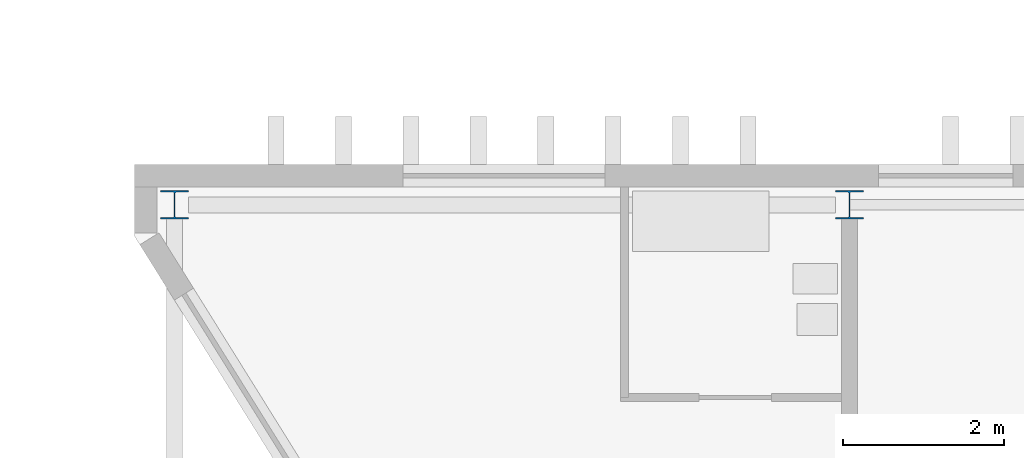
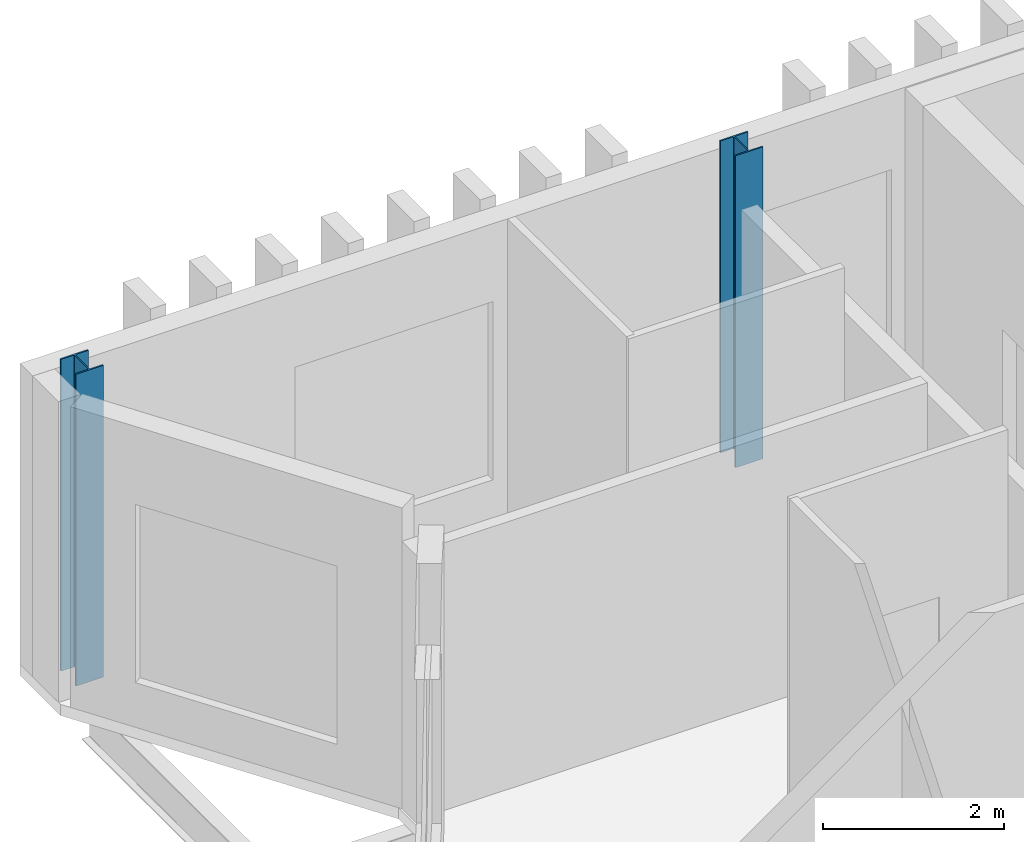
# One storey, part 3 of 11: 2 columns.
"""IFC4 building model written with IfcOpenShell, lengths in metres."""

from ifc_helpers import new_model, si_unit, direction, frame, origin, origin_2d, place, context, subcontext, project, spatial, i_section, extrude, material, material_profile, profile_set, type_object, element, save


model = new_model("IFC4")

# Units and contexts
model_context = context("Model", 3, precision=1e-05, world=origin(), true_north=direction((0.0, 1.0)))
body_context = subcontext(model_context, "Body", "Model", "MODEL_VIEW")
ifc_project = project(units=[si_unit("LENGTHUNIT", "METRE"), si_unit("AREAUNIT", "SQUARE_METRE"), si_unit("VOLUMEUNIT", "CUBIC_METRE"), si_unit("PLANEANGLEUNIT", "RADIAN"), si_unit("MASSUNIT", "GRAM", prefix="KILO")], contexts=[model_context])

# Site, building, storey
site_placement = place(None, origin())
site = spatial("IfcSite", under=ifc_project, at=site_placement, CompositionType="ELEMENT")
building_placement = place(site_placement, origin())
building = spatial("IfcBuilding", under=site, at=building_placement, Name="Cresset Court Congress Hotel", CompositionType="ELEMENT")
storey_placement = place(building_placement, frame((0.0, 0.0, 43.800048828125)))
storey = spatial("IfcBuildingStorey", under=building, at=storey_placement, Name="L10", CompositionType="ELEMENT", Elevation=43.800048828125)

# Columns
ifc_material = material(Name="Structural steel Q355B", Category="steel")
ifc_material_profile = material_profile(ifc_material, i_section(OverallWidth=0.35009765625, OverallDepth=0.35009765625, WebThickness=0.011962890625, FlangeThickness=0.01904296875, FilletRadius=0.012939453125, at=origin_2d()), Name="HW350x350x12x19")
ifc_profile_set = profile_set([ifc_material_profile], Name="Structural steel Q355B")
column_type = type_object("IfcColumnType", Name="Steel column HW350x350x12x19", PredefinedType="COLUMN", material=ifc_profile_set)
for number, where, z_axis, x_axis, name in (
    (1, (157.199951171875, 67.199951171875, 0.0), (0.0, 0.0, 1.0), (1.0, 0.0, 0.0), "Column L10 9-20"),
    (2, (165.60009765625, 67.199951171875, 0.0), (0.0, 0.0, 1.0), (1.0, 0.0, 0.0), "Column L10 9-21"),
):
    element("IfcColumn", number, at=place(storey_placement, frame(where, z_axis=z_axis, x_axis=x_axis)), inside=storey, type_object=column_type, Name=name, PredefinedType="COLUMN", context=body_context, shape_type="SweptSolid", body=[
        extrude(i_section(OverallWidth=0.35009765625, OverallDepth=0.35009765625, WebThickness=0.011962890625, FlangeThickness=0.01904296875, FilletRadius=0.012939453125, at=origin_2d()), origin(), (0.0, 0.0, 1.0), 4.199951171875),
    ])

save(model, "model.ifc")
